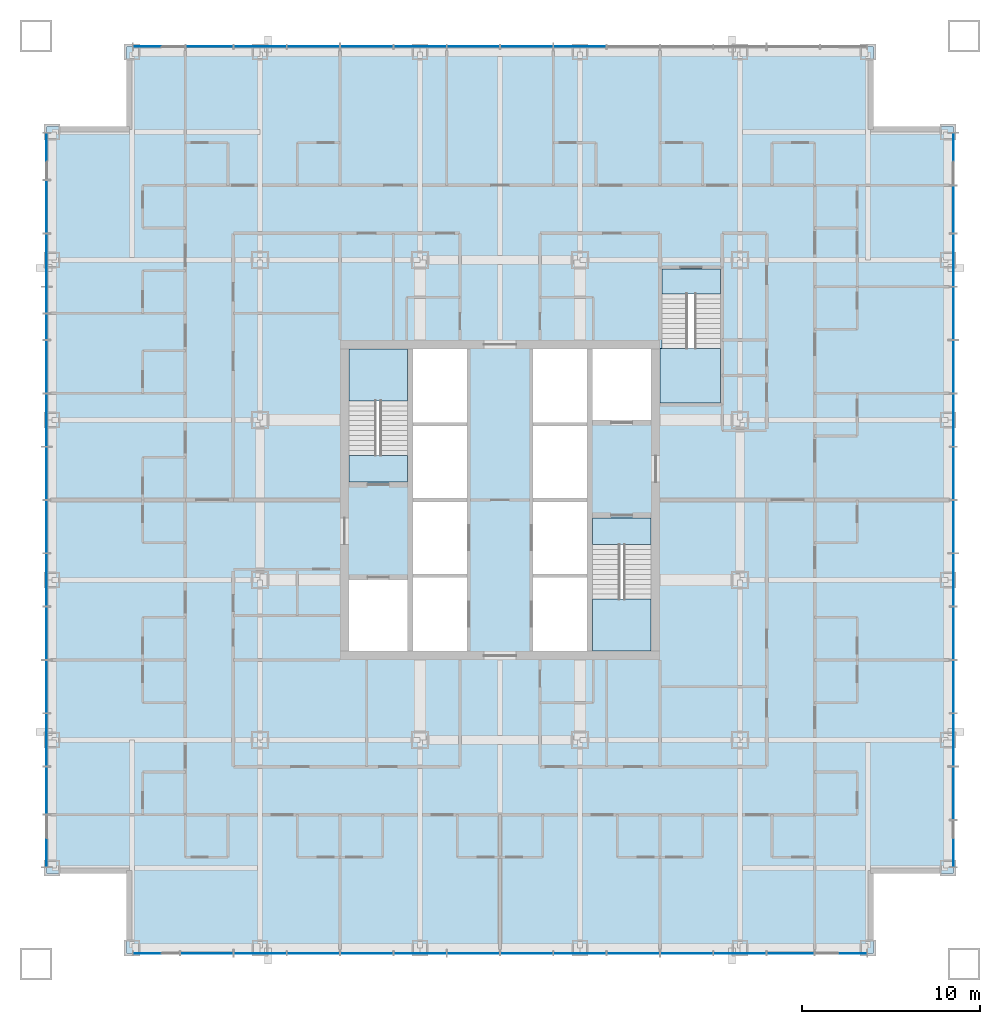
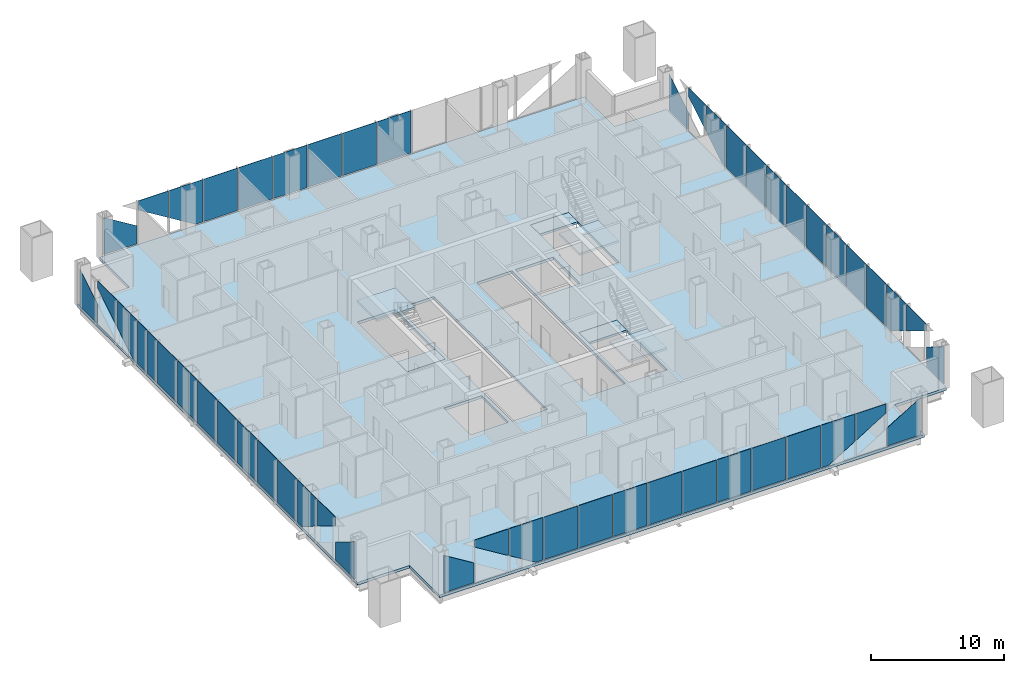
# One storey, part 6 of 13: 52 plates, 7 slabs, 7 elements without a shape of their own.
"""IFC4 building model written with IfcOpenShell, lengths in metres."""

from ifc_helpers import new_model, si_unit, direction, frame, origin, origin_2d, place, context, subcontext, project, spatial, polyline, rectangle, outline, extrude, material, layer, layer_set, type_object, element, aggregate, save


model = new_model("IFC4")

# Units and contexts
model_context = context("Model", 3, precision=1e-05, world=origin(), true_north=direction((0.0, 1.0)))
body_context = subcontext(model_context, "Body", "Model", "MODEL_VIEW")
ifc_project = project(units=[si_unit("LENGTHUNIT", "METRE"), si_unit("AREAUNIT", "SQUARE_METRE"), si_unit("VOLUMEUNIT", "CUBIC_METRE"), si_unit("PLANEANGLEUNIT", "RADIAN"), si_unit("MASSUNIT", "GRAM", prefix="KILO")], contexts=[model_context])

# Site, building, storey
site_placement = place(None, origin())
site = spatial("IfcSite", under=ifc_project, at=site_placement, CompositionType="ELEMENT")
building_placement = place(site_placement, origin())
building = spatial("IfcBuilding", under=site, at=building_placement, Name="Malebo Sky Hospital", CompositionType="ELEMENT")
storey_placement = place(building_placement, frame((0.0, 0.0, 87.0)))
storey = spatial("IfcBuildingStorey", under=building, at=storey_placement, Name="L20", CompositionType="ELEMENT", Elevation=87.0)

# Slab
ifc_material_1 = material(Name="Concrete C40/50", Category="concrete")
ifc_layer_1 = layer(ifc_material_1, 0.25)
ifc_layer_set_1 = layer_set([ifc_layer_1], Name="COMPOSITE FLOOR SLAB 250")
slab_type_1 = type_object("IfcSlabType", Name="COMPOSITE FLOOR SLAB 250", PredefinedType="FLOOR", material=ifc_layer_set_1)
slab_1_placement = place(storey_placement, frame((0.0, 0.0, -0.25)))
element("IfcSlab", 1, at=slab_1_placement, inside=storey, type_object=slab_type_1, Name="Floor slab L20", PredefinedType="FLOOR", context=body_context, shape_type="SweptSolid", body=[
    extrude(outline(polyline([(39.0, 87.5), (39.0, 83.0), (34.5, 83.0), (34.5, 41.0), (39.0, 41.0), (39.0, 36.5), (81.0, 36.5), (81.0, 41.0), (85.5, 41.0), (85.5, 83.0), (81.0, 83.0), (81.0, 87.5), (39.0, 87.5)]), holes=[polyline([(55.10009765625, 70.5), (58.14990234375, 70.5), (58.14990234375, 53.5), (55.10009765625, 53.5), (55.10009765625, 70.5)]), polyline([(64.89990234375, 70.5), (64.89990234375, 53.5), (61.85009765625, 53.5), (61.85009765625, 70.5), (64.89990234375, 70.5)]), polyline([(54.800048828125, 63.0), (51.5, 63.0), (51.5, 70.5), (54.800048828125, 70.5), (54.800048828125, 63.0)]), polyline([(51.5, 53.5), (51.5, 57.5), (54.800048828125, 57.5), (54.800048828125, 53.5), (51.5, 53.5)]), polyline([(65.199951171875, 61.0), (68.5, 61.0), (68.5, 53.5), (65.199951171875, 53.5), (65.199951171875, 61.0)]), polyline([(68.5, 70.5), (68.5, 66.5), (65.199951171875, 66.5), (65.199951171875, 70.5), (68.5, 70.5)]), polyline([(69.0, 67.449951171875), (69.0, 70.52001953125), (69.10009765625, 70.52001953125), (69.10009765625, 75.0), (72.39990234375, 75.0), (72.39990234375, 67.449951171875), (69.10009765625, 67.449951171875), (69.0, 67.449951171875)])]), origin(), (0.0, 0.0, 1.0), 0.25),
])

# Stair, slabs
stair_type_1 = type_object("IfcStairType", Name="HALF-TURN STAIR 1500 R167", PredefinedType="HALF_TURN_STAIR", material=ifc_material_1)
stair_1_placement = place(storey_placement, origin())
stair_1 = element("IfcStair", 2, at=stair_1_placement, inside=storey, type_object=stair_type_1, Name="Stair S1 L20 type ST1", PredefinedType="HALF_TURN_STAIR")
ifc_layer_2 = layer(ifc_material_1, 0.199951171875)
ifc_layer_set_2 = layer_set([ifc_layer_2], Name="STAIR LANDING 200")
slab_type_2 = type_object("IfcSlabType", Name="STAIR LANDING 200", PredefinedType="LANDING", material=ifc_layer_set_2)
slab_2_placement = place(storey_placement, frame((0.0, 0.0, -0.199951171875)))
slab_2 = element("IfcSlab", 3, at=slab_2_placement, type_object=slab_type_2, Name="S1 landing 1", PredefinedType="LANDING", context=body_context, shape_type="SweptSolid", body=[
    extrude(outline(polyline([(51.5, 63.0), (54.800048828125, 63.0), (54.800048828125, 64.5), (51.5, 64.5), (51.5, 63.0)])), origin(), (0.0, 0.0, 1.0), 0.199951171875),
])
slab_3_placement = place(storey_placement, frame((0.0, 0.0, 1.800048828125)))
slab_3 = element("IfcSlab", 4, at=slab_3_placement, type_object=slab_type_2, Name="S1 landing 2", PredefinedType="LANDING", context=body_context, shape_type="SweptSolid", body=[
    extrude(outline(polyline([(51.5, 67.580078125), (54.800048828125, 67.580078125), (54.800048828125, 70.5), (51.5, 70.5), (51.5, 67.580078125)])), origin(), (0.0, 0.0, 1.0), 0.199951171875),
])
aggregate(stair_1, [slab_2, slab_3])

stair_2_placement = place(storey_placement, origin())
stair_2 = element("IfcStair", 5, at=stair_2_placement, inside=storey, type_object=stair_type_1, Name="Stair S2 L20 type ST1", PredefinedType="HALF_TURN_STAIR")
slab_4_placement = place(storey_placement, frame((0.0, 0.0, -0.199951171875)))
slab_4 = element("IfcSlab", 6, at=slab_4_placement, type_object=slab_type_2, Name="S2 landing 1", PredefinedType="LANDING", context=body_context, shape_type="SweptSolid", body=[
    extrude(outline(polyline([(65.199951171875, 59.5), (68.5, 59.5), (68.5, 61.0), (65.199951171875, 61.0), (65.199951171875, 59.5)])), origin(), (0.0, 0.0, 1.0), 0.199951171875),
])
slab_5_placement = place(storey_placement, frame((0.0, 0.0, 1.800048828125)))
slab_5 = element("IfcSlab", 7, at=slab_5_placement, type_object=slab_type_2, Name="S2 landing 2", PredefinedType="LANDING", context=body_context, shape_type="SweptSolid", body=[
    extrude(outline(polyline([(65.199951171875, 53.5), (68.5, 53.5), (68.5, 56.419921875), (65.199951171875, 56.419921875), (65.199951171875, 53.5)])), origin(), (0.0, 0.0, 1.0), 0.199951171875),
])
aggregate(stair_2, [slab_4, slab_5])

stair_type_2 = type_object("IfcStairType", Name="HALF-TURN STAIR 1400 R167", PredefinedType="HALF_TURN_STAIR", material=ifc_material_1)
stair_3_placement = place(storey_placement, origin())
stair_3 = element("IfcStair", 8, at=stair_3_placement, inside=storey, type_object=stair_type_2, Name="Stair S3 L20 type ST1B", PredefinedType="HALF_TURN_STAIR")
slab_6_placement = place(storey_placement, frame((0.0, 0.0, -0.199951171875)))
slab_6 = element("IfcSlab", 9, at=slab_6_placement, type_object=slab_type_2, Name="S3 landing 1", PredefinedType="LANDING", context=body_context, shape_type="SweptSolid", body=[
    extrude(outline(polyline([(69.10009765625, 73.60009765625), (72.39990234375, 73.60009765625), (72.39990234375, 75.0), (69.10009765625, 75.0), (69.10009765625, 73.60009765625)])), origin(), (0.0, 0.0, 1.0), 0.199951171875),
])
slab_7_placement = place(storey_placement, frame((0.0, 0.0, 1.800048828125)))
slab_7 = element("IfcSlab", 10, at=slab_7_placement, type_object=slab_type_2, Name="S3 landing 2", PredefinedType="LANDING", context=body_context, shape_type="SweptSolid", body=[
    extrude(outline(polyline([(69.0, 67.449951171875), (72.39990234375, 67.449951171875), (72.39990234375, 70.52001953125), (69.0, 70.52001953125), (69.0, 67.449951171875)])), origin(), (0.0, 0.0, 1.0), 0.199951171875),
])
aggregate(stair_3, [slab_6, slab_7])

# Curtain wall, plates
ifc_material_2 = material(Name="Anodised aluminium, natural silver", Category="aluminium")
ifc_layer_3 = layer(ifc_material_2, 0.25)
ifc_layer_set_3 = layer_set([ifc_layer_3], Name="WARD CURTAIN WALL NORTH AND SOUTH")
curtain_wall_type_1 = type_object("IfcCurtainWallType", Name="WARD CURTAIN WALL NORTH AND SOUTH", PredefinedType="NOTDEFINED", material=ifc_layer_set_3)
curtain_wall_1_placement = place(storey_placement, origin())
curtain_wall_1 = element("IfcCurtainWall", 11, at=curtain_wall_1_placement, inside=storey, type_object=curtain_wall_type_1, Name="NS curtain wall N", PredefinedType="NOTDEFINED")
ifc_material_3 = material(Name="Clear low-iron double glazing", Category="glass")
ifc_layer_4 = layer(ifc_material_3, 0.031982421875)
ifc_layer_set_4 = layer_set([ifc_layer_4], Name="VISION PANEL CLEAR 32")
plate_type = type_object("IfcPlateType", Name="VISION PANEL CLEAR 32", PredefinedType="CURTAIN_PANEL", material=ifc_layer_set_4)
plate_1_placement = place(storey_placement, frame((40.81884765625, 87.5, 0.099853515625), z_axis=(0.0, 0.0, 1.0), x_axis=(1.0, 0.0, 0.0)))
plate_1 = element("IfcPlate", 12, at=plate_1_placement, type_object=plate_type, Name="Panel 1", PredefinedType="CURTAIN_PANEL", context=body_context, shape_type="SweptSolid", body=[
    extrude(outline(polyline([(-1.44384765625, 0.0), (1.44384765625, 0.0), (1.44384765625, 1.639892578125), (-1.44384765625, 3.41015625), (-1.44384765625, 0.0)])), frame((0.0, 0.01611328125, 0.0), z_axis=(0.0, -1.0, 0.0), x_axis=(1.0, 0.0, 0.0)), (0.0, 0.0, 1.0), 0.031982421875),
])
plate_2_placement = place(storey_placement, frame((43.64990234375, 87.5, 1.552001953125), z_axis=(0.0, 0.0, 1.0), x_axis=(1.0, 0.0, 0.0)))
plate_2 = element("IfcPlate", 13, at=plate_2_placement, type_object=plate_type, Name="Panel 2", PredefinedType="CURTAIN_PANEL", context=body_context, shape_type="SweptSolid", body=[
    extrude(outline(polyline([(1.3125, 0.0), (1.3125, 2.43798828125), (-1.3125, 2.43798828125), (-1.3125, 1.609130859375), (1.3125, 0.0)])), frame((0.0, 0.01611328125, 0.0), z_axis=(0.0, -1.0, 0.0), x_axis=(1.0, 0.0, 0.0)), (0.0, 0.0, 1.0), 0.031982421875),
])
plate_3_placement = place(storey_placement, frame((46.5, 87.5, 0.10009765625), z_axis=(0.0, 0.0, 1.0), x_axis=(1.0, 0.0, 0.0)))
plate_3 = element("IfcPlate", 14, at=plate_3_placement, type_object=plate_type, Name="Panel 3", PredefinedType="CURTAIN_PANEL", context=body_context, shape_type="SweptSolid", body=[
    extrude(outline(polyline([(0.831298828125, 0.0), (1.46240234375, 0.0), (1.46240234375, 3.889892578125), (-1.46240234375, 3.889892578125), (-1.46240234375, 1.40625), (0.831298828125, 0.0)])), frame((0.0, 0.01611328125, 0.0), z_axis=(0.0, -1.0, 0.0), x_axis=(1.0, 0.0, 0.0)), (0.0, 0.0, 1.0), 0.031982421875),
])
plate_4_placement = place(storey_placement, frame((49.5, 87.5, 0.10009765625), z_axis=(0.0, 0.0, 1.0), x_axis=(1.0, 0.0, 0.0)))
plate_4 = element("IfcPlate", 15, at=plate_4_placement, type_object=plate_type, Name="Panel 4", PredefinedType="CURTAIN_PANEL", context=body_context, shape_type="SweptSolid", body=[
    extrude(rectangle(XDim=2.925048828125, YDim=0.031982421875, at=origin_2d()), origin(), (0.0, 0.0, 1.0), 3.889892578125),
])
plate_5_placement = place(storey_placement, frame((52.5, 87.5, 0.10009765625), z_axis=(0.0, 0.0, 1.0), x_axis=(1.0, 0.0, 0.0)))
plate_5 = element("IfcPlate", 16, at=plate_5_placement, type_object=plate_type, Name="Panel 5", PredefinedType="CURTAIN_PANEL", context=body_context, shape_type="SweptSolid", body=[
    extrude(rectangle(XDim=2.925048828125, YDim=0.031982421875, at=origin_2d()), origin(), (0.0, 0.0, 1.0), 3.889892578125),
])
plate_6_placement = place(storey_placement, frame((55.5, 87.5, 0.10009765625), z_axis=(0.0, 0.0, 1.0), x_axis=(1.0, 0.0, 0.0)))
plate_6 = element("IfcPlate", 17, at=plate_6_placement, type_object=plate_type, Name="Panel 6", PredefinedType="CURTAIN_PANEL", context=body_context, shape_type="SweptSolid", body=[
    extrude(rectangle(XDim=2.925048828125, YDim=0.031982421875, at=origin_2d()), origin(), (0.0, 0.0, 1.0), 3.889892578125),
])
plate_7_placement = place(storey_placement, frame((58.5, 87.5, 0.10009765625), z_axis=(0.0, 0.0, 1.0), x_axis=(1.0, 0.0, 0.0)))
plate_7 = element("IfcPlate", 18, at=plate_7_placement, type_object=plate_type, Name="Panel 7", PredefinedType="CURTAIN_PANEL", context=body_context, shape_type="SweptSolid", body=[
    extrude(rectangle(XDim=2.925048828125, YDim=0.031982421875, at=origin_2d()), origin(), (0.0, 0.0, 1.0), 3.889892578125),
])
plate_8_placement = place(storey_placement, frame((61.5, 87.5, 0.10009765625), z_axis=(0.0, 0.0, 1.0), x_axis=(1.0, 0.0, 0.0)))
plate_8 = element("IfcPlate", 19, at=plate_8_placement, type_object=plate_type, Name="Panel 8", PredefinedType="CURTAIN_PANEL", context=body_context, shape_type="SweptSolid", body=[
    extrude(rectangle(XDim=2.925048828125, YDim=0.031982421875, at=origin_2d()), origin(), (0.0, 0.0, 1.0), 3.889892578125),
])
plate_9_placement = place(storey_placement, frame((64.5, 87.5, 0.10009765625), z_axis=(0.0, 0.0, 1.0), x_axis=(1.0, 0.0, 0.0)))
plate_9 = element("IfcPlate", 20, at=plate_9_placement, type_object=plate_type, Name="Panel 9", PredefinedType="CURTAIN_PANEL", context=body_context, shape_type="SweptSolid", body=[
    extrude(rectangle(XDim=2.925048828125, YDim=0.031982421875, at=origin_2d()), origin(), (0.0, 0.0, 1.0), 3.889892578125),
])
aggregate(curtain_wall_1, [plate_1, plate_2, plate_3, plate_4, plate_5, plate_6, plate_7, plate_8, plate_9])

ifc_layer_5 = layer(ifc_material_2, 0.25)
ifc_layer_set_5 = layer_set([ifc_layer_5], Name="WARD CURTAIN WALL EAST AND WEST")
curtain_wall_type_2 = type_object("IfcCurtainWallType", Name="WARD CURTAIN WALL EAST AND WEST", PredefinedType="NOTDEFINED", material=ifc_layer_set_5)
curtain_wall_2_placement = place(storey_placement, origin())
curtain_wall_2 = element("IfcCurtainWall", 21, at=curtain_wall_2_placement, inside=storey, type_object=curtain_wall_type_2, Name="EW curtain wall W", PredefinedType="NOTDEFINED")
plate_10_placement = place(storey_placement, frame((34.5, 42.81884765625, 0.099853515625), z_axis=(0.0, 0.0, 1.0), x_axis=(0.0, 1.0, 0.0)))
plate_10 = element("IfcPlate", 22, at=plate_10_placement, type_object=plate_type, Name="Panel 1", PredefinedType="CURTAIN_PANEL", context=body_context, shape_type="SweptSolid", body=[
    extrude(outline(polyline([(-1.44384765625, 0.0), (1.44384765625, 0.0), (1.44384765625, 1.639892578125), (-1.44384765625, 3.41015625), (-1.44384765625, 0.0)])), frame((0.0, 0.01611328125, 0.0), z_axis=(0.0, -1.0, 0.0), x_axis=(1.0, 0.0, 0.0)), (0.0, 0.0, 1.0), 0.031982421875),
])
plate_11_placement = place(storey_placement, frame((34.5, 45.64990234375, 1.552001953125), z_axis=(0.0, 0.0, 1.0), x_axis=(0.0, 1.0, 0.0)))
plate_11 = element("IfcPlate", 23, at=plate_11_placement, type_object=plate_type, Name="Panel 2", PredefinedType="CURTAIN_PANEL", context=body_context, shape_type="SweptSolid", body=[
    extrude(outline(polyline([(1.3125, 0.0), (1.3125, 2.43798828125), (-1.3125, 2.43798828125), (-1.3125, 1.609130859375), (1.3125, 0.0)])), frame((0.0, 0.01611328125, 0.0), z_axis=(0.0, -1.0, 0.0), x_axis=(1.0, 0.0, 0.0)), (0.0, 0.0, 1.0), 0.031982421875),
])
plate_12_placement = place(storey_placement, frame((34.5, 48.5, 0.10009765625), z_axis=(0.0, 0.0, 1.0), x_axis=(0.0, 1.0, 0.0)))
plate_12 = element("IfcPlate", 24, at=plate_12_placement, type_object=plate_type, Name="Panel 3", PredefinedType="CURTAIN_PANEL", context=body_context, shape_type="SweptSolid", body=[
    extrude(outline(polyline([(0.831298828125, 0.0), (1.46240234375, 0.0), (1.46240234375, 3.889892578125), (-1.46240234375, 3.889892578125), (-1.46240234375, 1.40625), (0.831298828125, 0.0)])), frame((0.0, 0.01611328125, 0.0), z_axis=(0.0, -1.0, 0.0), x_axis=(1.0, 0.0, 0.0)), (0.0, 0.0, 1.0), 0.031982421875),
])
plate_13_placement = place(storey_placement, frame((34.5, 51.5, 0.10009765625), z_axis=(0.0, 0.0, 1.0), x_axis=(0.0, 1.0, 0.0)))
plate_13 = element("IfcPlate", 25, at=plate_13_placement, type_object=plate_type, Name="Panel 4", PredefinedType="CURTAIN_PANEL", context=body_context, shape_type="SweptSolid", body=[
    extrude(rectangle(XDim=2.925048828125, YDim=0.031982421875, at=origin_2d()), origin(), (0.0, 0.0, 1.0), 3.889892578125),
])
plate_14_placement = place(storey_placement, frame((34.5, 54.5, 0.10009765625), z_axis=(0.0, 0.0, 1.0), x_axis=(0.0, 1.0, 0.0)))
plate_14 = element("IfcPlate", 26, at=plate_14_placement, type_object=plate_type, Name="Panel 5", PredefinedType="CURTAIN_PANEL", context=body_context, shape_type="SweptSolid", body=[
    extrude(rectangle(XDim=2.925048828125, YDim=0.031982421875, at=origin_2d()), origin(), (0.0, 0.0, 1.0), 3.889892578125),
])
plate_15_placement = place(storey_placement, frame((34.5, 57.5, 0.10009765625), z_axis=(0.0, 0.0, 1.0), x_axis=(0.0, 1.0, 0.0)))
plate_15 = element("IfcPlate", 27, at=plate_15_placement, type_object=plate_type, Name="Panel 6", PredefinedType="CURTAIN_PANEL", context=body_context, shape_type="SweptSolid", body=[
    extrude(rectangle(XDim=2.925048828125, YDim=0.031982421875, at=origin_2d()), origin(), (0.0, 0.0, 1.0), 3.889892578125),
])
plate_16_placement = place(storey_placement, frame((34.5, 60.5, 0.10009765625), z_axis=(0.0, 0.0, 1.0), x_axis=(0.0, 1.0, 0.0)))
plate_16 = element("IfcPlate", 28, at=plate_16_placement, type_object=plate_type, Name="Panel 7", PredefinedType="CURTAIN_PANEL", context=body_context, shape_type="SweptSolid", body=[
    extrude(rectangle(XDim=2.925048828125, YDim=0.031982421875, at=origin_2d()), origin(), (0.0, 0.0, 1.0), 3.889892578125),
])
plate_17_placement = place(storey_placement, frame((34.5, 63.5, 0.10009765625), z_axis=(0.0, 0.0, 1.0), x_axis=(0.0, 1.0, 0.0)))
plate_17 = element("IfcPlate", 29, at=plate_17_placement, type_object=plate_type, Name="Panel 8", PredefinedType="CURTAIN_PANEL", context=body_context, shape_type="SweptSolid", body=[
    extrude(rectangle(XDim=2.925048828125, YDim=0.031982421875, at=origin_2d()), origin(), (0.0, 0.0, 1.0), 3.889892578125),
])
plate_18_placement = place(storey_placement, frame((34.5, 66.5, 0.10009765625), z_axis=(0.0, 0.0, 1.0), x_axis=(0.0, 1.0, 0.0)))
plate_18 = element("IfcPlate", 30, at=plate_18_placement, type_object=plate_type, Name="Panel 9", PredefinedType="CURTAIN_PANEL", context=body_context, shape_type="SweptSolid", body=[
    extrude(rectangle(XDim=2.925048828125, YDim=0.031982421875, at=origin_2d()), origin(), (0.0, 0.0, 1.0), 3.889892578125),
])
plate_19_placement = place(storey_placement, frame((34.5, 69.5, 0.10009765625), z_axis=(0.0, 0.0, 1.0), x_axis=(0.0, 1.0, 0.0)))
plate_19 = element("IfcPlate", 31, at=plate_19_placement, type_object=plate_type, Name="Panel 10", PredefinedType="CURTAIN_PANEL", context=body_context, shape_type="SweptSolid", body=[
    extrude(rectangle(XDim=2.925048828125, YDim=0.031982421875, at=origin_2d()), origin(), (0.0, 0.0, 1.0), 3.889892578125),
])
plate_20_placement = place(storey_placement, frame((34.5, 71.75, 0.10009765625), z_axis=(0.0, 0.0, 1.0), x_axis=(0.0, 1.0, 0.0)))
plate_20 = element("IfcPlate", 32, at=plate_20_placement, type_object=plate_type, Name="Panel 11", PredefinedType="CURTAIN_PANEL", context=body_context, shape_type="SweptSolid", body=[
    extrude(rectangle(XDim=1.425048828125, YDim=0.031982421875, at=origin_2d()), origin(), (0.0, 0.0, 1.0), 3.889892578125),
])
plate_21_placement = place(storey_placement, frame((34.5, 73.25, 0.10009765625), z_axis=(0.0, 0.0, 1.0), x_axis=(0.0, 1.0, 0.0)))
plate_21 = element("IfcPlate", 33, at=plate_21_placement, type_object=plate_type, Name="Panel 12", PredefinedType="CURTAIN_PANEL", context=body_context, shape_type="SweptSolid", body=[
    extrude(rectangle(XDim=1.425048828125, YDim=0.031982421875, at=origin_2d()), origin(), (0.0, 0.0, 1.0), 3.889892578125),
])
plate_22_placement = place(storey_placement, frame((34.5, 75.5, 0.10009765625), z_axis=(0.0, 0.0, 1.0), x_axis=(0.0, 1.0, 0.0)))
plate_22 = element("IfcPlate", 34, at=plate_22_placement, type_object=plate_type, Name="Panel 13", PredefinedType="CURTAIN_PANEL", context=body_context, shape_type="SweptSolid", body=[
    extrude(outline(polyline([(-1.46240234375, 0.0), (-0.831298828125, 0.0), (1.46240234375, 1.40625), (1.46240234375, 3.889892578125), (-1.46240234375, 3.889892578125), (-1.46240234375, 0.0)])), frame((0.0, 0.01611328125, 0.0), z_axis=(0.0, -1.0, 0.0), x_axis=(1.0, 0.0, 0.0)), (0.0, 0.0, 1.0), 0.031982421875),
])
plate_23_placement = place(storey_placement, frame((34.5, 78.5, 1.552001953125), z_axis=(0.0, 0.0, 1.0), x_axis=(0.0, 1.0, 0.0)))
plate_23 = element("IfcPlate", 35, at=plate_23_placement, type_object=plate_type, Name="Panel 14", PredefinedType="CURTAIN_PANEL", context=body_context, shape_type="SweptSolid", body=[
    extrude(outline(polyline([(-1.46240234375, 0.0), (1.46240234375, 1.793212890625), (1.46240234375, 2.43798828125), (-1.46240234375, 2.43798828125), (-1.46240234375, 0.0)])), frame((0.0, 0.01611328125, 0.0), z_axis=(0.0, -1.0, 0.0), x_axis=(1.0, 0.0, 0.0)), (0.0, 0.0, 1.0), 0.031982421875),
])
plate_24_placement = place(storey_placement, frame((34.5, 81.331298828125, 0.099853515625), z_axis=(0.0, 0.0, 1.0), x_axis=(0.0, 1.0, 0.0)))
plate_24 = element("IfcPlate", 36, at=plate_24_placement, type_object=plate_type, Name="Panel 15", PredefinedType="CURTAIN_PANEL", context=body_context, shape_type="SweptSolid", body=[
    extrude(outline(polyline([(-1.293701171875, 0.0), (1.293701171875, 0.0), (1.293701171875, 3.41015625), (-1.293701171875, 1.823974609375), (-1.293701171875, 0.0)])), frame((0.0, 0.01611328125, 0.0), z_axis=(0.0, -1.0, 0.0), x_axis=(1.0, 0.0, 0.0)), (0.0, 0.0, 1.0), 0.031982421875),
])
aggregate(curtain_wall_2, [plate_10, plate_11, plate_12, plate_13, plate_14, plate_15, plate_16, plate_17, plate_18, plate_19, plate_20, plate_21, plate_22, plate_23, plate_24])

curtain_wall_3_placement = place(storey_placement, origin())
curtain_wall_3 = element("IfcCurtainWall", 37, at=curtain_wall_3_placement, inside=storey, type_object=curtain_wall_type_1, Name="NS curtain wall S", PredefinedType="NOTDEFINED")
plate_25_placement = place(storey_placement, frame((79.18115234375, 36.5, 0.099853515625), z_axis=(0.0, 0.0, 1.0), x_axis=(-1.0, 0.0, 0.0)))
plate_25 = element("IfcPlate", 38, at=plate_25_placement, type_object=plate_type, Name="Panel 1", PredefinedType="CURTAIN_PANEL", context=body_context, shape_type="SweptSolid", body=[
    extrude(outline(polyline([(-1.44384765625, 0.0), (1.44384765625, 0.0), (1.44384765625, 1.639892578125), (-1.44384765625, 3.41015625), (-1.44384765625, 0.0)])), frame((0.0, 0.01611328125, 0.0), z_axis=(0.0, -1.0, 0.0), x_axis=(1.0, 0.0, 0.0)), (0.0, 0.0, 1.0), 0.031982421875),
])
plate_26_placement = place(storey_placement, frame((76.35009765625, 36.5, 1.552001953125), z_axis=(0.0, 0.0, 1.0), x_axis=(-1.0, 0.0, 0.0)))
plate_26 = element("IfcPlate", 39, at=plate_26_placement, type_object=plate_type, Name="Panel 2", PredefinedType="CURTAIN_PANEL", context=body_context, shape_type="SweptSolid", body=[
    extrude(outline(polyline([(1.3125, 0.0), (1.3125, 2.43798828125), (-1.3125, 2.43798828125), (-1.3125, 1.609130859375), (1.3125, 0.0)])), frame((0.0, 0.01611328125, 0.0), z_axis=(0.0, -1.0, 0.0), x_axis=(1.0, 0.0, 0.0)), (0.0, 0.0, 1.0), 0.031982421875),
])
plate_27_placement = place(storey_placement, frame((73.5, 36.5, 0.10009765625), z_axis=(0.0, 0.0, 1.0), x_axis=(-1.0, 0.0, 0.0)))
plate_27 = element("IfcPlate", 40, at=plate_27_placement, type_object=plate_type, Name="Panel 3", PredefinedType="CURTAIN_PANEL", context=body_context, shape_type="SweptSolid", body=[
    extrude(outline(polyline([(0.831298828125, 0.0), (1.46240234375, 0.0), (1.46240234375, 3.889892578125), (-1.46240234375, 3.889892578125), (-1.46240234375, 1.40625), (0.831298828125, 0.0)])), frame((0.0, 0.01611328125, 0.0), z_axis=(0.0, -1.0, 0.0), x_axis=(1.0, 0.0, 0.0)), (0.0, 0.0, 1.0), 0.031982421875),
])
plate_28_placement = place(storey_placement, frame((70.5, 36.5, 0.10009765625), z_axis=(0.0, 0.0, 1.0), x_axis=(-1.0, 0.0, 0.0)))
plate_28 = element("IfcPlate", 41, at=plate_28_placement, type_object=plate_type, Name="Panel 4", PredefinedType="CURTAIN_PANEL", context=body_context, shape_type="SweptSolid", body=[
    extrude(rectangle(XDim=2.925048828125, YDim=0.031982421875, at=origin_2d()), origin(), (0.0, 0.0, 1.0), 3.889892578125),
])
plate_29_placement = place(storey_placement, frame((67.5, 36.5, 0.10009765625), z_axis=(0.0, 0.0, 1.0), x_axis=(-1.0, 0.0, 0.0)))
plate_29 = element("IfcPlate", 42, at=plate_29_placement, type_object=plate_type, Name="Panel 5", PredefinedType="CURTAIN_PANEL", context=body_context, shape_type="SweptSolid", body=[
    extrude(rectangle(XDim=2.925048828125, YDim=0.031982421875, at=origin_2d()), origin(), (0.0, 0.0, 1.0), 3.889892578125),
])
plate_30_placement = place(storey_placement, frame((64.5, 36.5, 0.10009765625), z_axis=(0.0, 0.0, 1.0), x_axis=(-1.0, 0.0, 0.0)))
plate_30 = element("IfcPlate", 43, at=plate_30_placement, type_object=plate_type, Name="Panel 6", PredefinedType="CURTAIN_PANEL", context=body_context, shape_type="SweptSolid", body=[
    extrude(rectangle(XDim=2.925048828125, YDim=0.031982421875, at=origin_2d()), origin(), (0.0, 0.0, 1.0), 3.889892578125),
])
plate_31_placement = place(storey_placement, frame((61.5, 36.5, 0.10009765625), z_axis=(0.0, 0.0, 1.0), x_axis=(-1.0, 0.0, 0.0)))
plate_31 = element("IfcPlate", 44, at=plate_31_placement, type_object=plate_type, Name="Panel 7", PredefinedType="CURTAIN_PANEL", context=body_context, shape_type="SweptSolid", body=[
    extrude(rectangle(XDim=2.925048828125, YDim=0.031982421875, at=origin_2d()), origin(), (0.0, 0.0, 1.0), 3.889892578125),
])
plate_32_placement = place(storey_placement, frame((58.5, 36.5, 0.10009765625), z_axis=(0.0, 0.0, 1.0), x_axis=(-1.0, 0.0, 0.0)))
plate_32 = element("IfcPlate", 45, at=plate_32_placement, type_object=plate_type, Name="Panel 8", PredefinedType="CURTAIN_PANEL", context=body_context, shape_type="SweptSolid", body=[
    extrude(rectangle(XDim=2.925048828125, YDim=0.031982421875, at=origin_2d()), origin(), (0.0, 0.0, 1.0), 3.889892578125),
])
plate_33_placement = place(storey_placement, frame((55.5, 36.5, 0.10009765625), z_axis=(0.0, 0.0, 1.0), x_axis=(-1.0, 0.0, 0.0)))
plate_33 = element("IfcPlate", 46, at=plate_33_placement, type_object=plate_type, Name="Panel 9", PredefinedType="CURTAIN_PANEL", context=body_context, shape_type="SweptSolid", body=[
    extrude(rectangle(XDim=2.925048828125, YDim=0.031982421875, at=origin_2d()), origin(), (0.0, 0.0, 1.0), 3.889892578125),
])
plate_34_placement = place(storey_placement, frame((52.5, 36.5, 0.10009765625), z_axis=(0.0, 0.0, 1.0), x_axis=(-1.0, 0.0, 0.0)))
plate_34 = element("IfcPlate", 47, at=plate_34_placement, type_object=plate_type, Name="Panel 10", PredefinedType="CURTAIN_PANEL", context=body_context, shape_type="SweptSolid", body=[
    extrude(rectangle(XDim=2.925048828125, YDim=0.031982421875, at=origin_2d()), origin(), (0.0, 0.0, 1.0), 3.889892578125),
])
plate_35_placement = place(storey_placement, frame((49.5, 36.5, 0.10009765625), z_axis=(0.0, 0.0, 1.0), x_axis=(-1.0, 0.0, 0.0)))
plate_35 = element("IfcPlate", 48, at=plate_35_placement, type_object=plate_type, Name="Panel 11", PredefinedType="CURTAIN_PANEL", context=body_context, shape_type="SweptSolid", body=[
    extrude(rectangle(XDim=2.925048828125, YDim=0.031982421875, at=origin_2d()), origin(), (0.0, 0.0, 1.0), 3.889892578125),
])
plate_36_placement = place(storey_placement, frame((46.5, 36.5, 0.10009765625), z_axis=(0.0, 0.0, 1.0), x_axis=(-1.0, 0.0, 0.0)))
plate_36 = element("IfcPlate", 49, at=plate_36_placement, type_object=plate_type, Name="Panel 12", PredefinedType="CURTAIN_PANEL", context=body_context, shape_type="SweptSolid", body=[
    extrude(outline(polyline([(-1.46240234375, 0.0), (-0.831298828125, 0.0), (1.46240234375, 1.40625), (1.46240234375, 3.889892578125), (-1.46240234375, 3.889892578125), (-1.46240234375, 0.0)])), frame((0.0, 0.01611328125, 0.0), z_axis=(0.0, -1.0, 0.0), x_axis=(1.0, 0.0, 0.0)), (0.0, 0.0, 1.0), 0.031982421875),
])
plate_37_placement = place(storey_placement, frame((43.5, 36.5, 1.552001953125), z_axis=(0.0, 0.0, 1.0), x_axis=(-1.0, 0.0, 0.0)))
plate_37 = element("IfcPlate", 50, at=plate_37_placement, type_object=plate_type, Name="Panel 13", PredefinedType="CURTAIN_PANEL", context=body_context, shape_type="SweptSolid", body=[
    extrude(outline(polyline([(-1.46240234375, 0.0), (1.46240234375, 1.793212890625), (1.46240234375, 2.43798828125), (-1.46240234375, 2.43798828125), (-1.46240234375, 0.0)])), frame((0.0, 0.01611328125, 0.0), z_axis=(0.0, -1.0, 0.0), x_axis=(1.0, 0.0, 0.0)), (0.0, 0.0, 1.0), 0.031982421875),
])
plate_38_placement = place(storey_placement, frame((40.668701171875, 36.5, 0.099853515625), z_axis=(0.0, 0.0, 1.0), x_axis=(-1.0, 0.0, 0.0)))
plate_38 = element("IfcPlate", 51, at=plate_38_placement, type_object=plate_type, Name="Panel 14", PredefinedType="CURTAIN_PANEL", context=body_context, shape_type="SweptSolid", body=[
    extrude(outline(polyline([(-1.293701171875, 0.0), (1.293701171875, 0.0), (1.293701171875, 3.41015625), (-1.293701171875, 1.823974609375), (-1.293701171875, 0.0)])), frame((0.0, 0.01611328125, 0.0), z_axis=(0.0, -1.0, 0.0), x_axis=(1.0, 0.0, 0.0)), (0.0, 0.0, 1.0), 0.031982421875),
])
aggregate(curtain_wall_3, [plate_25, plate_26, plate_27, plate_28, plate_29, plate_30, plate_31, plate_32, plate_33, plate_34, plate_35, plate_36, plate_37, plate_38])

curtain_wall_4_placement = place(storey_placement, origin())
curtain_wall_4 = element("IfcCurtainWall", 52, at=curtain_wall_4_placement, inside=storey, type_object=curtain_wall_type_2, Name="EW curtain wall E", PredefinedType="NOTDEFINED")
plate_39_placement = place(storey_placement, frame((85.5, 81.18115234375, 0.099853515625), z_axis=(0.0, 0.0, 1.0), x_axis=(0.0, -1.0, 0.0)))
plate_39 = element("IfcPlate", 53, at=plate_39_placement, type_object=plate_type, Name="Panel 1", PredefinedType="CURTAIN_PANEL", context=body_context, shape_type="SweptSolid", body=[
    extrude(outline(polyline([(-1.44384765625, 0.0), (1.44384765625, 0.0), (1.44384765625, 1.639892578125), (-1.44384765625, 3.41015625), (-1.44384765625, 0.0)])), frame((0.0, 0.01611328125, 0.0), z_axis=(0.0, -1.0, 0.0), x_axis=(1.0, 0.0, 0.0)), (0.0, 0.0, 1.0), 0.031982421875),
])
plate_40_placement = place(storey_placement, frame((85.5, 78.35009765625, 1.552001953125), z_axis=(0.0, 0.0, 1.0), x_axis=(0.0, -1.0, 0.0)))
plate_40 = element("IfcPlate", 54, at=plate_40_placement, type_object=plate_type, Name="Panel 2", PredefinedType="CURTAIN_PANEL", context=body_context, shape_type="SweptSolid", body=[
    extrude(outline(polyline([(1.3125, 0.0), (1.3125, 2.43798828125), (-1.3125, 2.43798828125), (-1.3125, 1.609130859375), (1.3125, 0.0)])), frame((0.0, 0.01611328125, 0.0), z_axis=(0.0, -1.0, 0.0), x_axis=(1.0, 0.0, 0.0)), (0.0, 0.0, 1.0), 0.031982421875),
])
plate_41_placement = place(storey_placement, frame((85.5, 75.5, 0.10009765625), z_axis=(0.0, 0.0, 1.0), x_axis=(0.0, -1.0, 0.0)))
plate_41 = element("IfcPlate", 55, at=plate_41_placement, type_object=plate_type, Name="Panel 3", PredefinedType="CURTAIN_PANEL", context=body_context, shape_type="SweptSolid", body=[
    extrude(outline(polyline([(0.831298828125, 0.0), (1.46240234375, 0.0), (1.46240234375, 3.889892578125), (-1.46240234375, 3.889892578125), (-1.46240234375, 1.40625), (0.831298828125, 0.0)])), frame((0.0, 0.01611328125, 0.0), z_axis=(0.0, -1.0, 0.0), x_axis=(1.0, 0.0, 0.0)), (0.0, 0.0, 1.0), 0.031982421875),
])
plate_42_placement = place(storey_placement, frame((85.5, 72.5, 0.10009765625), z_axis=(0.0, 0.0, 1.0), x_axis=(0.0, -1.0, 0.0)))
plate_42 = element("IfcPlate", 56, at=plate_42_placement, type_object=plate_type, Name="Panel 4", PredefinedType="CURTAIN_PANEL", context=body_context, shape_type="SweptSolid", body=[
    extrude(rectangle(XDim=2.925048828125, YDim=0.031982421875, at=origin_2d()), origin(), (0.0, 0.0, 1.0), 3.889892578125),
])
plate_43_placement = place(storey_placement, frame((85.5, 69.5, 0.10009765625), z_axis=(0.0, 0.0, 1.0), x_axis=(0.0, -1.0, 0.0)))
plate_43 = element("IfcPlate", 57, at=plate_43_placement, type_object=plate_type, Name="Panel 5", PredefinedType="CURTAIN_PANEL", context=body_context, shape_type="SweptSolid", body=[
    extrude(rectangle(XDim=2.925048828125, YDim=0.031982421875, at=origin_2d()), origin(), (0.0, 0.0, 1.0), 3.889892578125),
])
plate_44_placement = place(storey_placement, frame((85.5, 66.5, 0.10009765625), z_axis=(0.0, 0.0, 1.0), x_axis=(0.0, -1.0, 0.0)))
plate_44 = element("IfcPlate", 58, at=plate_44_placement, type_object=plate_type, Name="Panel 6", PredefinedType="CURTAIN_PANEL", context=body_context, shape_type="SweptSolid", body=[
    extrude(rectangle(XDim=2.925048828125, YDim=0.031982421875, at=origin_2d()), origin(), (0.0, 0.0, 1.0), 3.889892578125),
])
plate_45_placement = place(storey_placement, frame((85.5, 63.5, 0.10009765625), z_axis=(0.0, 0.0, 1.0), x_axis=(0.0, -1.0, 0.0)))
plate_45 = element("IfcPlate", 59, at=plate_45_placement, type_object=plate_type, Name="Panel 7", PredefinedType="CURTAIN_PANEL", context=body_context, shape_type="SweptSolid", body=[
    extrude(rectangle(XDim=2.925048828125, YDim=0.031982421875, at=origin_2d()), origin(), (0.0, 0.0, 1.0), 3.889892578125),
])
plate_46_placement = place(storey_placement, frame((85.5, 60.5, 0.10009765625), z_axis=(0.0, 0.0, 1.0), x_axis=(0.0, -1.0, 0.0)))
plate_46 = element("IfcPlate", 60, at=plate_46_placement, type_object=plate_type, Name="Panel 8", PredefinedType="CURTAIN_PANEL", context=body_context, shape_type="SweptSolid", body=[
    extrude(rectangle(XDim=2.925048828125, YDim=0.031982421875, at=origin_2d()), origin(), (0.0, 0.0, 1.0), 3.889892578125),
])
plate_47_placement = place(storey_placement, frame((85.5, 57.5, 0.10009765625), z_axis=(0.0, 0.0, 1.0), x_axis=(0.0, -1.0, 0.0)))
plate_47 = element("IfcPlate", 61, at=plate_47_placement, type_object=plate_type, Name="Panel 9", PredefinedType="CURTAIN_PANEL", context=body_context, shape_type="SweptSolid", body=[
    extrude(rectangle(XDim=2.925048828125, YDim=0.031982421875, at=origin_2d()), origin(), (0.0, 0.0, 1.0), 3.889892578125),
])
plate_48_placement = place(storey_placement, frame((85.5, 54.5, 0.10009765625), z_axis=(0.0, 0.0, 1.0), x_axis=(0.0, -1.0, 0.0)))
plate_48 = element("IfcPlate", 62, at=plate_48_placement, type_object=plate_type, Name="Panel 10", PredefinedType="CURTAIN_PANEL", context=body_context, shape_type="SweptSolid", body=[
    extrude(rectangle(XDim=2.925048828125, YDim=0.031982421875, at=origin_2d()), origin(), (0.0, 0.0, 1.0), 3.889892578125),
])
plate_49_placement = place(storey_placement, frame((85.5, 51.5, 0.10009765625), z_axis=(0.0, 0.0, 1.0), x_axis=(0.0, -1.0, 0.0)))
plate_49 = element("IfcPlate", 63, at=plate_49_placement, type_object=plate_type, Name="Panel 11", PredefinedType="CURTAIN_PANEL", context=body_context, shape_type="SweptSolid", body=[
    extrude(rectangle(XDim=2.925048828125, YDim=0.031982421875, at=origin_2d()), origin(), (0.0, 0.0, 1.0), 3.889892578125),
])
plate_50_placement = place(storey_placement, frame((85.5, 48.5, 0.10009765625), z_axis=(0.0, 0.0, 1.0), x_axis=(0.0, -1.0, 0.0)))
plate_50 = element("IfcPlate", 64, at=plate_50_placement, type_object=plate_type, Name="Panel 12", PredefinedType="CURTAIN_PANEL", context=body_context, shape_type="SweptSolid", body=[
    extrude(outline(polyline([(-1.46240234375, 0.0), (-0.831298828125, 0.0), (1.46240234375, 1.40625), (1.46240234375, 3.889892578125), (-1.46240234375, 3.889892578125), (-1.46240234375, 0.0)])), frame((0.0, 0.01611328125, 0.0), z_axis=(0.0, -1.0, 0.0), x_axis=(1.0, 0.0, 0.0)), (0.0, 0.0, 1.0), 0.031982421875),
])
plate_51_placement = place(storey_placement, frame((85.5, 45.5, 1.552001953125), z_axis=(0.0, 0.0, 1.0), x_axis=(0.0, -1.0, 0.0)))
plate_51 = element("IfcPlate", 65, at=plate_51_placement, type_object=plate_type, Name="Panel 13", PredefinedType="CURTAIN_PANEL", context=body_context, shape_type="SweptSolid", body=[
    extrude(outline(polyline([(-1.46240234375, 0.0), (1.46240234375, 1.793212890625), (1.46240234375, 2.43798828125), (-1.46240234375, 2.43798828125), (-1.46240234375, 0.0)])), frame((0.0, 0.01611328125, 0.0), z_axis=(0.0, -1.0, 0.0), x_axis=(1.0, 0.0, 0.0)), (0.0, 0.0, 1.0), 0.031982421875),
])
plate_52_placement = place(storey_placement, frame((85.5, 42.668701171875, 0.099853515625), z_axis=(0.0, 0.0, 1.0), x_axis=(0.0, -1.0, 0.0)))
plate_52 = element("IfcPlate", 66, at=plate_52_placement, type_object=plate_type, Name="Panel 14", PredefinedType="CURTAIN_PANEL", context=body_context, shape_type="SweptSolid", body=[
    extrude(outline(polyline([(-1.293701171875, 0.0), (1.293701171875, 0.0), (1.293701171875, 3.41015625), (-1.293701171875, 1.823974609375), (-1.293701171875, 0.0)])), frame((0.0, 0.01611328125, 0.0), z_axis=(0.0, -1.0, 0.0), x_axis=(1.0, 0.0, 0.0)), (0.0, 0.0, 1.0), 0.031982421875),
])
aggregate(curtain_wall_4, [plate_39, plate_40, plate_41, plate_42, plate_43, plate_44, plate_45, plate_46, plate_47, plate_48, plate_49, plate_50, plate_51, plate_52])

save(model, "model.ifc")
